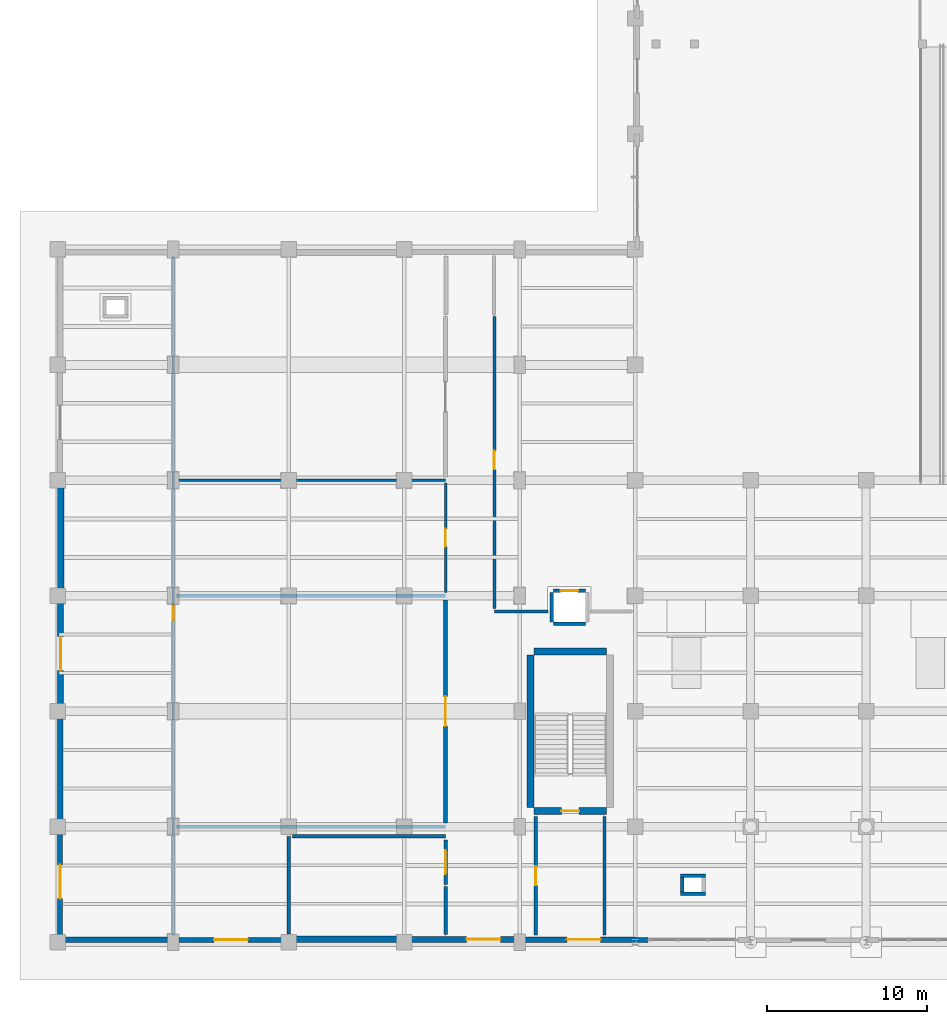
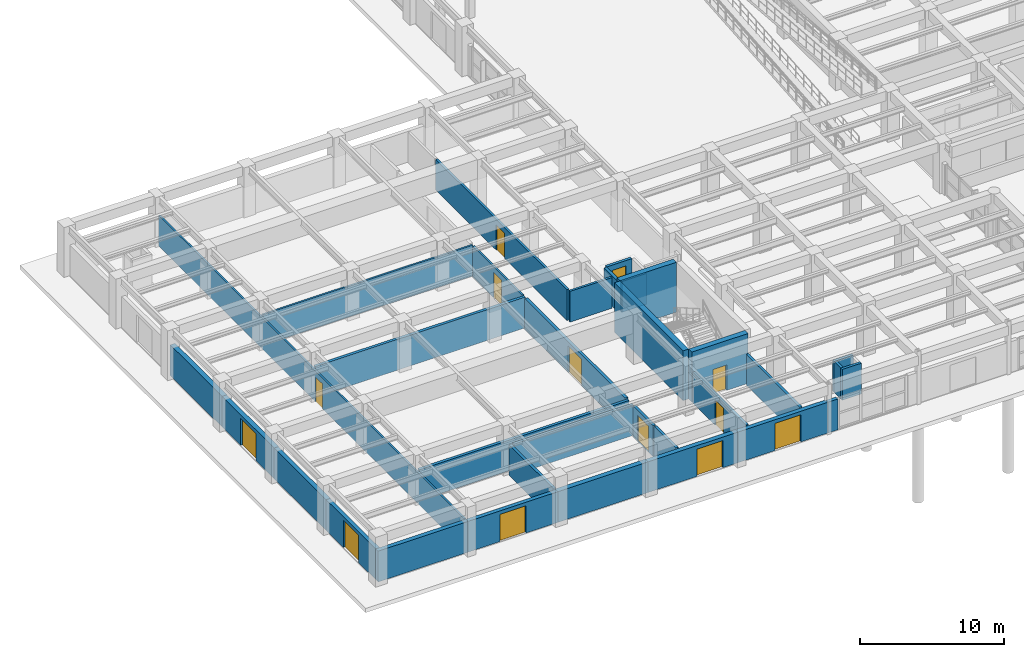
# One storey, part 40 of 64: 33 walls, 13 doors, 13 openings.
"""IFC4 building model written with IfcOpenShell, lengths in metres."""

from ifc_helpers import new_model, si_unit, direction, frame, frame_2d, origin, place, context, subcontext, project, spatial, rectangle, extrude, material, layer, layer_set, type_object, element, fill, save


model = new_model("IFC4")

# Units and contexts
model_context = context("Model", 3, precision=1e-05, world=origin(), true_north=direction((0.0, 1.0)))
body_context = subcontext(model_context, "Body", "Model", "MODEL_VIEW")
ifc_project = project(units=[si_unit("LENGTHUNIT", "METRE"), si_unit("AREAUNIT", "SQUARE_METRE"), si_unit("VOLUMEUNIT", "CUBIC_METRE"), si_unit("PLANEANGLEUNIT", "RADIAN"), si_unit("MASSUNIT", "GRAM", prefix="KILO")], contexts=[model_context])

# Site, building, storey
site_placement = place(None, origin())
site = spatial("IfcSite", under=ifc_project, at=site_placement, CompositionType="ELEMENT")
building_placement = place(site_placement, origin())
building = spatial("IfcBuilding", under=site, at=building_placement, Name="Solenvale Faculty of Natural Sciences", CompositionType="ELEMENT")
storey_placement = place(building_placement, origin())
storey = spatial("IfcBuildingStorey", under=building, at=storey_placement, Name="L00", CompositionType="ELEMENT", Elevation=0.0)

# Wall, opening, door
ifc_material_1 = material(Name="Chazy limestone masonry", Category="masonry")
ifc_layer_1 = layer(ifc_material_1, 0.31494140625)
ifc_layer_set_1 = layer_set([ifc_layer_1], Name="Chazy limestone masonry")
wall_type_1 = type_object("IfcWallType", Name="WL-EXT-LIM-315", PredefinedType="STANDARD", material=ifc_layer_set_1)
wall_1_placement = place(storey_placement, frame((0.157470703125, 0.340087890625, 0.0), z_axis=(0.0, 0.0, 1.0), x_axis=(0.0, 1.0, 0.0)))
wall_1 = element("IfcWall", 1, at=wall_1_placement, inside=storey, type_object=wall_type_1, Name="L00 Exterior Wall 24.6", PredefinedType="STANDARD", context=body_context, shape_type="SweptSolid", body=[
    extrude(rectangle(XDim=6.85986328125, YDim=0.31494140625, at=frame_2d((3.429931640625, 0.0))), origin(), (0.0, 0.0, 1.0), 2.60009765625),
])
opening_1_placement = place(wall_1_placement, frame((2.3798828125, 0.0, 0.0)))
opening_1 = element("IfcOpeningElement", 2, at=opening_1_placement, cuts=wall_1, Name="Opening EX-31", PredefinedType="OPENING", context=body_context, shape_type="SweptSolid", body=[
    extrude(rectangle(XDim=2.10009765625, YDim=2.300048828125, at=frame_2d((1.050048828125, 1.14990234375))), frame((0.0, 0.16748046875, 0.0), z_axis=(0.0, -1.0, 0.0), x_axis=(1.0, 0.0, 0.0)), (0.0, 0.0, 1.0), 0.3349609375),
])
ifc_material_2 = material(Name="Anodised bronze aluminium", Category="aluminium")
door_type_1 = type_object("IfcDoorType", Name="DR-EXT-2100x2300", OperationType="NOTDEFINED", PredefinedType="DOOR", material=ifc_material_2)
door_1_placement = place(opening_1_placement, origin())
door_1 = element("IfcDoor", 3, at=door_1_placement, inside=storey, type_object=door_type_1, Name="L00 Exterior Exit Door EX-31", OperationType="DOUBLE_DOOR_SINGLE_SWING", OverallHeight=2.300048828125, OverallWidth=2.10009765625, PredefinedType="DOOR", context=body_context, shape_type="SweptSolid", body=[
    extrude(rectangle(XDim=2.10009765625, YDim=2.300048828125, at=frame_2d((1.050048828125, 1.14990234375))), frame((0.0, 0.02490234375, 0.0), z_axis=(0.0, -1.0, 0.0), x_axis=(1.0, 0.0, 0.0)), (0.0, 0.0, 1.0), 0.050048828125),
])
fill(opening_1, door_1)

wall_2_placement = place(storey_placement, frame((14.39990234375, 0.157470703125, 0.0), z_axis=(0.0, 0.0, 1.0), x_axis=(-1.0, 0.0, 0.0)))
wall_2 = element("IfcWall", 4, at=wall_2_placement, inside=storey, type_object=wall_type_1, Name="L00 Exterior Wall 25.2", PredefinedType="STANDARD", context=body_context, shape_type="SweptSolid", body=[
    extrude(rectangle(XDim=7.199951171875, YDim=0.31494140625, at=frame_2d((3.60009765625, 0.0))), origin(), (0.0, 0.0, 1.0), 2.60009765625),
])
opening_2_placement = place(wall_2_placement, frame((2.550048828125, 0.0, 0.0)))
opening_2 = element("IfcOpeningElement", 5, at=opening_2_placement, cuts=wall_2, Name="Opening EX-32", PredefinedType="OPENING", context=body_context, shape_type="SweptSolid", body=[
    extrude(rectangle(XDim=2.10009765625, YDim=2.300048828125, at=frame_2d((1.050048828125, 1.14990234375))), frame((0.0, 0.16748046875, 0.0), z_axis=(0.0, -1.0, 0.0), x_axis=(1.0, 0.0, 0.0)), (0.0, 0.0, 1.0), 0.3349609375),
])
door_2_placement = place(opening_2_placement, origin())
door_2 = element("IfcDoor", 6, at=door_2_placement, inside=storey, type_object=door_type_1, Name="L00 Exterior Exit Door EX-32", OperationType="DOUBLE_DOOR_SINGLE_SWING", OverallHeight=2.300048828125, OverallWidth=2.10009765625, PredefinedType="DOOR", context=body_context, shape_type="SweptSolid", body=[
    extrude(rectangle(XDim=2.10009765625, YDim=2.300048828125, at=frame_2d((1.050048828125, 1.14990234375))), frame((0.0, 0.02490234375, 0.0), z_axis=(0.0, -1.0, 0.0), x_axis=(1.0, 0.0, 0.0)), (0.0, 0.0, 1.0), 0.050048828125),
])
fill(opening_2, door_2)

# Walls
ifc_layer_2 = layer(ifc_material_1, 0.340087890625)
ifc_layer_set_2 = layer_set([ifc_layer_2], Name="Chazy limestone masonry")
wall_type_2 = type_object("IfcWallType", Name="WL-EXT-LIM-340", PredefinedType="STANDARD", material=ifc_layer_set_2)
for number, where, z_axis, x_axis, name in (
    (7, (0.169921875, 7.199951171875, 0.0), (0.0, 0.0, 1.0), (0.0, 1.0, 0.0), "L00 Exterior Wall 24.5"),
    (8, (7.199951171875, 0.169921875, 0.0), (0.0, 0.0, 1.0), (-1.0, 0.0, 0.0), "L00 Exterior Wall 25.1"),
):
    element("IfcWall", number, at=place(storey_placement, frame(where, z_axis=z_axis, x_axis=x_axis)), inside=storey, type_object=wall_type_2, Name=name, PredefinedType="STANDARD", context=body_context, shape_type="SweptSolid", body=[
        extrude(rectangle(XDim=7.199951171875, YDim=0.340087890625, at=frame_2d((3.60009765625, 0.0))), origin(), (0.0, 0.0, 1.0), 2.60009765625),
    ])

# Wall, opening, door
wall_3_placement = place(storey_placement, frame((36.0, 0.169921875, 0.0), z_axis=(0.0, 0.0, 1.0), x_axis=(-1.0, 0.0, 0.0)))
wall_3 = element("IfcWall", 9, at=wall_3_placement, inside=storey, type_object=wall_type_2, Name="L00 Exterior Wall 25.5", PredefinedType="STANDARD", context=body_context, shape_type="SweptSolid", body=[
    extrude(rectangle(XDim=7.199951171875, YDim=0.340087890625, at=frame_2d((3.60009765625, 0.0))), origin(), (0.0, 0.0, 1.0), 2.60009765625),
])
opening_3_placement = place(wall_3_placement, frame((2.14990234375, 0.0, 0.0)))
opening_3 = element("IfcOpeningElement", 10, at=opening_3_placement, cuts=wall_3, Name="Opening EX-34", PredefinedType="OPENING", context=body_context, shape_type="SweptSolid", body=[
    extrude(rectangle(XDim=2.10009765625, YDim=2.300048828125, at=frame_2d((1.050048828125, 1.14990234375))), frame((0.0, 0.179931640625, 0.0), z_axis=(0.0, -1.0, 0.0), x_axis=(1.0, 0.0, 0.0)), (0.0, 0.0, 1.0), 0.360107421875),
])
door_3_placement = place(opening_3_placement, origin())
door_3 = element("IfcDoor", 11, at=door_3_placement, inside=storey, type_object=door_type_1, Name="L00 Exterior Exit Door EX-34", OperationType="DOUBLE_DOOR_SINGLE_SWING", OverallHeight=2.300048828125, OverallWidth=2.10009765625, PredefinedType="DOOR", context=body_context, shape_type="SweptSolid", body=[
    extrude(rectangle(XDim=2.10009765625, YDim=2.300048828125, at=frame_2d((1.050048828125, 1.14990234375))), frame((0.0, 0.02490234375, 0.0), z_axis=(0.0, -1.0, 0.0), x_axis=(1.0, 0.0, 0.0)), (0.0, 0.0, 1.0), 0.050048828125),
])
fill(opening_3, door_3)

ifc_layer_3 = layer(ifc_material_1, 0.364990234375)
ifc_layer_set_3 = layer_set([ifc_layer_3], Name="Chazy limestone masonry")
wall_type_3 = type_object("IfcWallType", Name="WL-EXT-LIM-365", PredefinedType="STANDARD", material=ifc_layer_set_3)
wall_4_placement = place(storey_placement, frame((0.1826171875, 14.39990234375, 0.0), z_axis=(0.0, 0.0, 1.0), x_axis=(0.0, 1.0, 0.0)))
wall_4 = element("IfcWall", 12, at=wall_4_placement, inside=storey, type_object=wall_type_3, Name="L00 Exterior Wall 24.4", PredefinedType="STANDARD", context=body_context, shape_type="SweptSolid", body=[
    extrude(rectangle(XDim=7.2001953125, YDim=0.364990234375, at=frame_2d((3.60009765625, 0.0))), origin(), (0.0, 0.0, 1.0), 2.60009765625),
])
opening_4_placement = place(wall_4_placement, frame((2.550048828125, 0.0, 0.0)))
opening_4 = element("IfcOpeningElement", 13, at=opening_4_placement, cuts=wall_4, Name="Opening EX-30", PredefinedType="OPENING", context=body_context, shape_type="SweptSolid", body=[
    extrude(rectangle(XDim=2.10009765625, YDim=2.300048828125, at=frame_2d((1.050048828125, 1.14990234375))), frame((0.0, 0.1923828125, 0.0), z_axis=(0.0, -1.0, 0.0), x_axis=(1.0, 0.0, 0.0)), (0.0, 0.0, 1.0), 0.385009765625),
])
door_4_placement = place(opening_4_placement, origin())
door_4 = element("IfcDoor", 14, at=door_4_placement, inside=storey, type_object=door_type_1, Name="L00 Exterior Exit Door EX-30", OperationType="DOUBLE_DOOR_SINGLE_SWING", OverallHeight=2.300048828125, OverallWidth=2.10009765625, PredefinedType="DOOR", context=body_context, shape_type="SweptSolid", body=[
    extrude(rectangle(XDim=2.10009765625, YDim=2.300048828125, at=frame_2d((1.050048828125, 1.14990234375))), frame((0.0, 0.02490234375, 0.0), z_axis=(0.0, -1.0, 0.0), x_axis=(1.0, 0.0, 0.0)), (0.0, 0.0, 1.0), 0.050048828125),
])
fill(opening_4, door_4)

wall_5_placement = place(storey_placement, frame((28.800048828125, 0.1826171875, 0.0), z_axis=(0.0, 0.0, 1.0), x_axis=(-1.0, 0.0, 0.0)))
wall_5 = element("IfcWall", 15, at=wall_5_placement, inside=storey, type_object=wall_type_3, Name="L00 Exterior Wall 25.4", PredefinedType="STANDARD", context=body_context, shape_type="SweptSolid", body=[
    extrude(rectangle(XDim=7.199951171875, YDim=0.364990234375, at=frame_2d((3.60009765625, 0.0))), origin(), (0.0, 0.0, 1.0), 2.60009765625),
])
opening_5_placement = place(wall_5_placement, frame((1.199951171875, 0.0, 0.0)))
opening_5 = element("IfcOpeningElement", 16, at=opening_5_placement, cuts=wall_5, Name="Opening EX-33", PredefinedType="OPENING", context=body_context, shape_type="SweptSolid", body=[
    extrude(rectangle(XDim=2.10009765625, YDim=2.300048828125, at=frame_2d((1.050048828125, 1.14990234375))), frame((0.0, 0.1923828125, 0.0), z_axis=(0.0, -1.0, 0.0), x_axis=(1.0, 0.0, 0.0)), (0.0, 0.0, 1.0), 0.385009765625),
])
door_5_placement = place(opening_5_placement, origin())
door_5 = element("IfcDoor", 17, at=door_5_placement, inside=storey, type_object=door_type_1, Name="L00 Exterior Exit Door EX-33", OperationType="DOUBLE_DOOR_SINGLE_SWING", OverallHeight=2.300048828125, OverallWidth=2.10009765625, PredefinedType="DOOR", context=body_context, shape_type="SweptSolid", body=[
    extrude(rectangle(XDim=2.10009765625, YDim=2.300048828125, at=frame_2d((1.050048828125, 1.14990234375))), frame((0.0, 0.02490234375, 0.0), z_axis=(0.0, -1.0, 0.0), x_axis=(1.0, 0.0, 0.0)), (0.0, 0.0, 1.0), 0.050048828125),
])
fill(opening_5, door_5)

# Walls
ifc_layer_4 = layer(ifc_material_1, 0.389892578125)
ifc_layer_set_4 = layer_set([ifc_layer_4], Name="Chazy limestone masonry")
wall_type_4 = type_object("IfcWallType", Name="WL-EXT-LIM-390", PredefinedType="STANDARD", material=ifc_layer_set_4)
wall_6_placement = place(storey_placement, frame((0.195068359375, 21.60009765625, 0.0), z_axis=(0.0, 0.0, 1.0), x_axis=(0.0, 1.0, 0.0)))
element("IfcWall", 18, at=wall_6_placement, inside=storey, type_object=wall_type_4, Name="L00 Exterior Wall 24.3", PredefinedType="STANDARD", context=body_context, shape_type="SweptSolid", body=[
    extrude(rectangle(XDim=7.199951171875, YDim=0.389892578125, at=frame_2d((3.60009765625, 0.0))), origin(), (0.0, 0.0, 1.0), 2.60009765625),
])
wall_7_placement = place(storey_placement, frame((21.60009765625, 0.195068359375, 0.0), z_axis=(0.0, 0.0, 1.0), x_axis=(-1.0, 0.0, 0.0)))
element("IfcWall", 19, at=wall_7_placement, inside=storey, type_object=wall_type_4, Name="L00 Exterior Wall 25.3", PredefinedType="STANDARD", context=body_context, shape_type="SweptSolid", body=[
    extrude(rectangle(XDim=7.2001953125, YDim=0.389892578125, at=frame_2d((3.60009765625, 0.0))), origin(), (0.0, 0.0, 1.0), 2.60009765625),
])
ifc_material_3 = material(Name="Precast concrete 40 MPa", Category="concrete")
ifc_layer_5 = layer(ifc_material_3, 0.284912109375)
ifc_layer_set_5 = layer_set([ifc_layer_5], Name="Precast concrete 40 MPa")
wall_type_5 = type_object("IfcWallType", Name="WL-EXT-PRC-285", PredefinedType="STANDARD", material=ifc_layer_set_5)
wall_8_placement = place(storey_placement, frame((36.0, 0.142578125, 0.0), z_axis=(0.0, 0.0, 1.0), x_axis=(1.0, 0.0, 0.0)))
element("IfcWall", 20, at=wall_8_placement, inside=storey, type_object=wall_type_5, Name="L00 Facade Closure Pier 26.B1-L", PredefinedType="STANDARD", context=body_context, shape_type="SweptSolid", body=[
    extrude(rectangle(XDim=0.7880859375, YDim=0.284912109375, at=frame_2d((0.39404296875, 0.0))), origin(), (0.0, 0.0, 1.0), 2.60009765625),
])
ifc_material_4 = material(Name="Gypsum fire-rated shaftwall")
ifc_layer_6 = layer(ifc_material_4, 0.205078125)
ifc_layer_set_6 = layer_set([ifc_layer_6], Name="Gypsum fire-rated shaftwall")
wall_type_6 = type_object("IfcWallType", Name="WL-FFL-205", PredefinedType="PARTITIONING", material=ifc_layer_set_6)
wall_9_placement = place(storey_placement, frame((34.090087890625, 7.845947265625, 0.0), z_axis=(0.0, 0.0, 1.0), x_axis=(0.0, -1.0, 0.0)))
element("IfcWall", 21, at=wall_9_placement, inside=storey, type_object=wall_type_6, Name="L00 Protected Exit Vestibule ST-01 Partition 1", PredefinedType="PARTITIONING", context=body_context, shape_type="SweptSolid", body=[
    extrude(rectangle(XDim=7.390869140625, YDim=0.205078125, at=frame_2d((3.6953125, 0.0))), origin(), (0.0, 0.0, 1.0), 2.60009765625),
])

# Wall, opening, door
wall_10_placement = place(storey_placement, frame((29.800048828125, 0.455078125, 0.0), z_axis=(0.0, 0.0, 1.0), x_axis=(0.0, 1.0, 0.0)))
wall_10 = element("IfcWall", 22, at=wall_10_placement, inside=storey, type_object=wall_type_6, Name="L00 Protected Exit Vestibule ST-01 Partition 3", PredefinedType="PARTITIONING", context=body_context, shape_type="SweptSolid", body=[
    extrude(rectangle(XDim=7.390869140625, YDim=0.205078125, at=frame_2d((3.6953125, 0.0))), origin(), (0.0, 0.0, 1.0), 2.60009765625),
])
opening_6_placement = place(wall_10_placement, frame((3.094970703125, 0.0, 0.0)))
opening_6 = element("IfcOpeningElement", 23, at=opening_6_placement, cuts=wall_10, Name="Opening D-L00-29", PredefinedType="OPENING", context=body_context, shape_type="SweptSolid", body=[
    extrude(rectangle(XDim=1.199951171875, YDim=2.14990234375, at=frame_2d((0.60009765625, 1.074951171875))), frame((0.0, 0.112548828125, 0.0), z_axis=(0.0, -1.0, 0.0), x_axis=(1.0, 0.0, 0.0)), (0.0, 0.0, 1.0), 0.22509765625),
])
ifc_material_5 = material(Name="Galvanised steel S355", Category="steel")
door_type_2 = type_object("IfcDoorType", Name="DR-FFL-1200x2150", OperationType="NOTDEFINED", PredefinedType="DOOR", material=ifc_material_5)
door_6_placement = place(opening_6_placement, origin())
door_6 = element("IfcDoor", 24, at=door_6_placement, inside=storey, type_object=door_type_2, Name="L00 Protected Exit Vestibule ST-01 Door", OperationType="SINGLE_SWING_LEFT", OverallHeight=2.14990234375, OverallWidth=1.199951171875, PredefinedType="DOOR", context=body_context, shape_type="SweptSolid", body=[
    extrude(rectangle(XDim=1.199951171875, YDim=2.14990234375, at=frame_2d((0.60009765625, 1.074951171875))), frame((0.0, 0.02490234375, 0.0), z_axis=(0.0, -1.0, 0.0), x_axis=(1.0, 0.0, 0.0)), (0.0, 0.0, 1.0), 0.050048828125),
])
fill(opening_6, door_6)

# Walls
ifc_material_6 = material(Name="High-STC auditorium acoustic wall")
ifc_layer_7 = layer(ifc_material_6, 0.235107421875)
ifc_layer_set_7 = layer_set([ifc_layer_7], Name="High-STC auditorium acoustic wall")
wall_type_7 = type_object("IfcWallType", Name="WL-HALL-235", PredefinedType="PARTITIONING", material=ifc_layer_set_7)
for number, where, z_axis, x_axis, name in (
    (25, (24.179931640625, 7.199951171875, 0.0), (0.0, 0.0, 1.0), (-1.0, 0.0, 0.0), "L00 Lecture Theatre Partition 1"),
    (26, (7.404052734375, 21.60009765625, 0.0), (0.0, 0.0, 1.0), (1.0, 0.0, 0.0), "L00 Lecture Theatre Partition 3"),
):
    element("IfcWall", number, at=place(storey_placement, frame(where, z_axis=z_axis, x_axis=x_axis)), inside=storey, type_object=wall_type_7, Name=name, PredefinedType="PARTITIONING", context=body_context, shape_type="SweptSolid", body=[
        extrude(rectangle(XDim=16.77587890625, YDim=0.235107421875, at=frame_2d((8.387939453125, 0.0))), origin(), (0.0, 0.0, 1.0), 2.60009765625),
    ])

# Wall, opening, door
wall_11_placement = place(storey_placement, frame((24.179931640625, 21.35302734375, 0.0), z_axis=(0.0, 0.0, 1.0), x_axis=(0.0, -1.0, 0.0)))
wall_11 = element("IfcWall", 27, at=wall_11_placement, inside=storey, type_object=wall_type_7, Name="L00 Lecture Theatre Partition 4", PredefinedType="PARTITIONING", context=body_context, shape_type="SweptSolid", body=[
    extrude(rectangle(XDim=13.906005859375, YDim=0.235107421875, at=frame_2d((6.953125, 0.0))), origin(), (0.0, 0.0, 1.0), 2.60009765625),
])
opening_7_placement = place(wall_11_placement, frame((6.028076171875, 0.0, 0.0)))
opening_7 = element("IfcOpeningElement", 28, at=opening_7_placement, cuts=wall_11, Name="Opening D-L00-05", PredefinedType="OPENING", context=body_context, shape_type="SweptSolid", body=[
    extrude(rectangle(XDim=1.85009765625, YDim=2.25, at=frame_2d((0.925048828125, 1.125))), frame((0.0, 0.12744140625, 0.0), z_axis=(0.0, -1.0, 0.0), x_axis=(1.0, 0.0, 0.0)), (0.0, 0.0, 1.0), 0.255126953125),
])
ifc_material_7 = material(Name="Oak acoustic timber leaf", Category="wood")
door_type_3 = type_object("IfcDoorType", Name="DR-HALL-1850x2250", OperationType="NOTDEFINED", PredefinedType="DOOR", material=ifc_material_7)
door_7_placement = place(opening_7_placement, origin())
door_7 = element("IfcDoor", 29, at=door_7_placement, inside=storey, type_object=door_type_3, Name="L00 Lecture Theatre Door", OperationType="SINGLE_SWING_LEFT", OverallHeight=2.25, OverallWidth=1.85009765625, PredefinedType="DOOR", context=body_context, shape_type="SweptSolid", body=[
    extrude(rectangle(XDim=1.85009765625, YDim=2.25, at=frame_2d((0.925048828125, 1.125))), frame((0.0, 0.02490234375, 0.0), z_axis=(0.0, -1.0, 0.0), x_axis=(1.0, 0.0, 0.0)), (0.0, 0.0, 1.0), 0.050048828125),
])
fill(opening_7, door_7)

# Walls
ifc_material_8 = material(Name="Gypsum fire-rated laboratory partition")
ifc_layer_8 = layer(ifc_material_8, 0.2119140625)
ifc_layer_set_8 = layer_set([ifc_layer_8], Name="Gypsum fire-rated laboratory partition")
wall_type_8 = type_object("IfcWallType", Name="WL-LAB-212", PredefinedType="PARTITIONING", material=ifc_layer_set_8)
wall_12_placement = place(storey_placement, frame((14.39990234375, 0.508056640625, 0.0), z_axis=(0.0, 0.0, 1.0), x_axis=(0.0, 1.0, 0.0)))
element("IfcWall", 30, at=wall_12_placement, inside=storey, type_object=wall_type_8, Name="L00 Fire Command Centre Partition 1", PredefinedType="PARTITIONING", context=body_context, shape_type="SweptSolid", body=[
    extrude(rectangle(XDim=6.092041015625, YDim=0.2119140625, at=frame_2d((3.0458984375, 0.0))), origin(), (0.0, 0.0, 1.0), 2.60009765625),
])
wall_13_placement = place(storey_placement, frame((14.6240234375, 6.60009765625, 0.0), z_axis=(0.0, 0.0, 1.0), x_axis=(1.0, 0.0, 0.0)))
element("IfcWall", 31, at=wall_13_placement, inside=storey, type_object=wall_type_8, Name="L00 Fire Command Centre Partition 2", PredefinedType="PARTITIONING", context=body_context, shape_type="SweptSolid", body=[
    extrude(rectangle(XDim=9.555908203125, YDim=0.2119140625, at=frame_2d((4.77783203125, 0.0))), origin(), (0.0, 0.0, 1.0), 2.60009765625),
])

# Wall, opening, door
wall_14_placement = place(storey_placement, frame((24.179931640625, 6.3759765625, 0.0), z_axis=(0.0, 0.0, 1.0), x_axis=(0.0, -1.0, 0.0)))
wall_14 = element("IfcWall", 32, at=wall_14_placement, inside=storey, type_object=wall_type_8, Name="L00 Fire Command Centre Partition 3", PredefinedType="PARTITIONING", context=body_context, shape_type="SweptSolid", body=[
    extrude(rectangle(XDim=2.77587890625, YDim=0.2119140625, at=frame_2d((1.387939453125, 0.0))), origin(), (0.0, 0.0, 1.0), 2.60009765625),
])
opening_8_placement = place(wall_14_placement, frame((0.64794921875, 0.0, 0.0)))
opening_8 = element("IfcOpeningElement", 33, at=opening_8_placement, cuts=wall_14, Name="Opening D-L00-03", PredefinedType="OPENING", context=body_context, shape_type="SweptSolid", body=[
    extrude(rectangle(XDim=1.47998046875, YDim=2.199951171875, at=frame_2d((0.739990234375, 1.10009765625))), frame((0.0, 0.115966796875, 0.0), z_axis=(0.0, -1.0, 0.0), x_axis=(1.0, 0.0, 0.0)), (0.0, 0.0, 1.0), 0.23193359375),
])
door_type_4 = type_object("IfcDoorType", Name="DR-LAB-1480x2200", OperationType="NOTDEFINED", PredefinedType="DOOR", material=ifc_material_7)
door_8_placement = place(opening_8_placement, origin())
door_8 = element("IfcDoor", 34, at=door_8_placement, inside=storey, type_object=door_type_4, Name="L00 Fire Command Centre Door", OperationType="SINGLE_SWING_LEFT", OverallHeight=2.199951171875, OverallWidth=1.47998046875, PredefinedType="DOOR", context=body_context, shape_type="SweptSolid", body=[
    extrude(rectangle(XDim=1.47998046875, YDim=2.199951171875, at=frame_2d((0.739990234375, 1.10009765625))), frame((0.0, 0.02490234375, 0.0), z_axis=(0.0, -1.0, 0.0), x_axis=(1.0, 0.0, 0.0)), (0.0, 0.0, 1.0), 0.050048828125),
])
fill(opening_8, door_8)

# Wall
wall_15_placement = place(storey_placement, frame((24.199951171875, 3.48193359375, 0.0), z_axis=(0.0, 0.0, 1.0), x_axis=(0.0, -1.0, 0.0)))
element("IfcWall", 35, at=wall_15_placement, inside=storey, type_object=wall_type_8, Name="L00 Fire Command Centre Partition 20", PredefinedType="PARTITIONING", context=body_context, shape_type="SweptSolid", body=[
    extrude(rectangle(XDim=2.9990234375, YDim=0.2119140625, at=frame_2d((1.49951171875, 0.0))), origin(), (0.0, 0.0, 1.0), 2.60009765625),
])

# Wall, opening, door
ifc_material_9 = material(Name="Acoustic stud gypsum partition")
ifc_layer_9 = layer(ifc_material_9, 0.14794921875)
ifc_layer_set_9 = layer_set([ifc_layer_9], Name="Acoustic stud gypsum partition")
wall_type_9 = type_object("IfcWallType", Name="WL-OFF-148", PredefinedType="PARTITIONING", material=ifc_layer_set_9)
wall_16_placement = place(storey_placement, frame((7.199951171875, 42.7490234375, 0.0), z_axis=(0.0, 0.0, 1.0), x_axis=(0.0, -1.0, 0.0)))
wall_16 = element("IfcWall", 36, at=wall_16_placement, inside=storey, type_object=wall_type_9, Name="L00 Audiovisual Equipment Storage Room Partition 3", PredefinedType="PARTITIONING", context=body_context, shape_type="SweptSolid", body=[
    extrude(rectangle(XDim=42.322998046875, YDim=0.14794921875, at=frame_2d((21.16162109375, 0.0))), origin(), (0.0, 0.0, 1.0), 2.60009765625),
])
opening_9_placement = place(wall_16_placement, frame((21.751953125, 0.0, 0.0)))
opening_9 = element("IfcOpeningElement", 37, at=opening_9_placement, cuts=wall_16, Name="Opening D-L00-04", PredefinedType="OPENING", context=body_context, shape_type="SweptSolid", body=[
    extrude(rectangle(XDim=0.919921875, YDim=2.10009765625, at=frame_2d((0.4599609375, 1.050048828125))), frame((0.0, 0.083984375, 0.0), z_axis=(0.0, -1.0, 0.0), x_axis=(1.0, 0.0, 0.0)), (0.0, 0.0, 1.0), 0.16796875),
])
door_type_5 = type_object("IfcDoorType", Name="DR-OFF-0920x2100", OperationType="NOTDEFINED", PredefinedType="DOOR", material=ifc_material_7)
door_9_placement = place(opening_9_placement, origin())
door_9 = element("IfcDoor", 38, at=door_9_placement, inside=storey, type_object=door_type_5, Name="L00 Audiovisual Equipment Storage Room Door", OperationType="SINGLE_SWING_RIGHT", OverallHeight=2.10009765625, OverallWidth=0.919921875, PredefinedType="DOOR", context=body_context, shape_type="SweptSolid", body=[
    extrude(rectangle(XDim=0.919921875, YDim=2.10009765625, at=frame_2d((0.4599609375, 1.050048828125))), frame((0.0, 0.02490234375, 0.0), z_axis=(0.0, -1.0, 0.0), x_axis=(1.0, 0.0, 0.0)), (0.0, 0.0, 1.0), 0.050048828125),
])
fill(opening_9, door_9)

# Wall
ifc_material_10 = material(Name="Acoustic double-stud gypsum partition")
ifc_layer_10 = layer(ifc_material_10, 0.155029296875)
ifc_layer_set_10 = layer_set([ifc_layer_10], Name="Acoustic double-stud gypsum partition")
wall_type_10 = type_object("IfcWallType", Name="WL-SEM-155", PredefinedType="PARTITIONING", material=ifc_layer_set_10)
wall_17_placement = place(storey_placement, frame((7.364013671875, 28.800048828125, 0.0), z_axis=(0.0, 0.0, 1.0), x_axis=(1.0, 0.0, 0.0)))
element("IfcWall", 39, at=wall_17_placement, inside=storey, type_object=wall_type_10, Name="L00 Academic Seminar Room Partition 3", PredefinedType="PARTITIONING", context=body_context, shape_type="SweptSolid", body=[
    extrude(rectangle(XDim=16.81591796875, YDim=0.155029296875, at=frame_2d((8.407958984375, 0.0))), origin(), (0.0, 0.0, 1.0), 2.60009765625),
])

# Wall, opening, door
wall_18_placement = place(storey_placement, frame((24.179931640625, 28.633056640625, 0.0), z_axis=(0.0, 0.0, 1.0), x_axis=(0.0, -1.0, 0.0)))
wall_18 = element("IfcWall", 40, at=wall_18_placement, inside=storey, type_object=wall_type_10, Name="L00 Academic Seminar Room Partition 4", PredefinedType="PARTITIONING", context=body_context, shape_type="SweptSolid", body=[
    extrude(rectangle(XDim=6.826171875, YDim=0.155029296875, at=frame_2d((3.4130859375, 0.0))), origin(), (0.0, 0.0, 1.0), 2.60009765625),
])
opening_10_placement = place(wall_18_placement, frame((2.85302734375, 0.0, 0.0)))
opening_10 = element("IfcOpeningElement", 41, at=opening_10_placement, cuts=wall_18, Name="Opening D-L00-06", PredefinedType="OPENING", context=body_context, shape_type="SweptSolid", body=[
    extrude(rectangle(XDim=1.1201171875, YDim=2.14990234375, at=frame_2d((0.56005859375, 1.074951171875))), frame((0.0, 0.08740234375, 0.0), z_axis=(0.0, -1.0, 0.0), x_axis=(1.0, 0.0, 0.0)), (0.0, 0.0, 1.0), 0.175048828125),
])
door_type_6 = type_object("IfcDoorType", Name="DR-SEM-1120x2150", OperationType="NOTDEFINED", PredefinedType="DOOR", material=ifc_material_7)
door_10_placement = place(opening_10_placement, origin())
door_10 = element("IfcDoor", 42, at=door_10_placement, inside=storey, type_object=door_type_6, Name="L00 Academic Seminar Room Door", OperationType="SINGLE_SWING_RIGHT", OverallHeight=2.14990234375, OverallWidth=1.1201171875, PredefinedType="DOOR", context=body_context, shape_type="SweptSolid", body=[
    extrude(rectangle(XDim=1.1201171875, YDim=2.14990234375, at=frame_2d((0.56005859375, 1.074951171875))), frame((0.0, 0.02490234375, 0.0), z_axis=(0.0, -1.0, 0.0), x_axis=(1.0, 0.0, 0.0)), (0.0, 0.0, 1.0), 0.050048828125),
])
fill(opening_10, door_10)

# Wall
ifc_layer_11 = layer(ifc_material_10, 0.179931640625)
ifc_layer_set_11 = layer_set([ifc_layer_11], Name="Acoustic double-stud gypsum partition")
wall_type_11 = type_object("IfcWallType", Name="WL-SEM-180", PredefinedType="PARTITIONING", material=ifc_layer_set_11)
wall_19_placement = place(storey_placement, frame((30.574951171875, 20.6201171875, 0.0), z_axis=(0.0, 0.0, 1.0), x_axis=(-1.0, 0.0, 0.0)))
element("IfcWall", 43, at=wall_19_placement, inside=storey, type_object=wall_type_11, Name="L00 Academic Seminar Room Partition 36", PredefinedType="PARTITIONING", context=body_context, shape_type="SweptSolid", body=[
    extrude(rectangle(XDim=3.35498046875, YDim=0.179931640625, at=frame_2d((1.677490234375, 0.0))), origin(), (0.0, 0.0, 1.0), 2.60009765625),
])

# Wall, opening, door
wall_20_placement = place(storey_placement, frame((27.219970703125, 20.81201171875, 0.0), z_axis=(0.0, 0.0, 1.0), x_axis=(0.0, 1.0, 0.0)))
wall_20 = element("IfcWall", 44, at=wall_20_placement, inside=storey, type_object=wall_type_11, Name="L00 Academic Seminar Room Partition 37", PredefinedType="PARTITIONING", context=body_context, shape_type="SweptSolid", body=[
    extrude(rectangle(XDim=18.18798828125, YDim=0.179931640625, at=frame_2d((9.093994140625, 0.0))), origin(), (0.0, 0.0, 1.0), 2.60009765625),
])
opening_11_placement = place(wall_20_placement, frame((8.6689453125, 0.0, 0.0)))
opening_11 = element("IfcOpeningElement", 45, at=opening_11_placement, cuts=wall_20, Name="Opening D-L00-08", PredefinedType="OPENING", context=body_context, shape_type="SweptSolid", body=[
    extrude(rectangle(XDim=1.14990234375, YDim=2.14990234375, at=frame_2d((0.574951171875, 1.074951171875))), frame((0.0, 0.099853515625, 0.0), z_axis=(0.0, -1.0, 0.0), x_axis=(1.0, 0.0, 0.0)), (0.0, 0.0, 1.0), 0.199951171875),
])
door_type_7 = type_object("IfcDoorType", Name="DR-SEM-1150x2150", OperationType="NOTDEFINED", PredefinedType="DOOR", material=ifc_material_7)
door_11_placement = place(opening_11_placement, origin())
door_11 = element("IfcDoor", 46, at=door_11_placement, inside=storey, type_object=door_type_7, Name="L00 Academic Seminar Room Door", OperationType="SINGLE_SWING_RIGHT", OverallHeight=2.14990234375, OverallWidth=1.14990234375, PredefinedType="DOOR", context=body_context, shape_type="SweptSolid", body=[
    extrude(rectangle(XDim=1.14990234375, YDim=2.14990234375, at=frame_2d((0.574951171875, 1.074951171875))), frame((0.0, 0.02490234375, 0.0), z_axis=(0.0, -1.0, 0.0), x_axis=(1.0, 0.0, 0.0)), (0.0, 0.0, 1.0), 0.050048828125),
])
fill(opening_11, door_11)

# Wall
ifc_material_11 = material(Name="Concrete 40 MPa", Category="concrete")
ifc_layer_12 = layer(ifc_material_11, 0.219970703125)
ifc_layer_set_12 = layer_set([ifc_layer_12], Name="Concrete 40 MPa")
wall_type_12 = type_object("IfcWallType", Name="WL-SHF-220", PredefinedType="STANDARD", material=ifc_layer_set_12)
wall_21_placement = place(storey_placement, frame((30.905029296875, 19.8701171875, 0.0), z_axis=(0.0, 0.0, 1.0), x_axis=(1.0, 0.0, 0.0)))
element("IfcWall", 47, at=wall_21_placement, inside=storey, type_object=wall_type_12, Name="Elevator LP-01 L00 Shaft Wall S", PredefinedType="STANDARD", context=body_context, shape_type="SweptSolid", body=[
    extrude(rectangle(XDim=1.989990234375, YDim=0.219970703125, at=frame_2d((0.9951171875, 0.0))), origin(), (0.0, 0.0, 1.0), 2.60009765625),
])

# Wall, opening, door
wall_22_placement = place(storey_placement, frame((30.905029296875, 21.929931640625, 0.0), z_axis=(0.0, 0.0, 1.0), x_axis=(1.0, 0.0, 0.0)))
wall_22 = element("IfcWall", 48, at=wall_22_placement, inside=storey, type_object=wall_type_12, Name="Elevator LP-01 L00 Shaft Wall N", PredefinedType="STANDARD", context=body_context, shape_type="SweptSolid", body=[
    extrude(rectangle(XDim=1.989990234375, YDim=0.219970703125, at=frame_2d((0.9951171875, 0.0))), origin(), (0.0, 0.0, 1.0), 2.60009765625),
])
opening_12_placement = place(wall_22_placement, frame((0.445068359375, 0.0, 0.0)))
opening_12 = element("IfcOpeningElement", 49, at=opening_12_placement, cuts=wall_22, Name="Opening LD-LP-01-L00", PredefinedType="OPENING", context=body_context, shape_type="SweptSolid", body=[
    extrude(rectangle(XDim=1.10009765625, YDim=2.14990234375, at=frame_2d((0.550048828125, 1.074951171875))), frame((0.0, 0.119873046875, 0.0), z_axis=(0.0, -1.0, 0.0), x_axis=(1.0, 0.0, 0.0)), (0.0, 0.0, 1.0), 0.239990234375),
])
ifc_material_12 = material(Name="Stainless steel Grade 304", Category="steel")
door_type_8 = type_object("IfcDoorType", Name="DR-LIFT-1100x2150", OperationType="NOTDEFINED", PredefinedType="DOOR", material=ifc_material_12)
door_12_placement = place(opening_12_placement, origin())
door_12 = element("IfcDoor", 50, at=door_12_placement, inside=storey, type_object=door_type_8, Name="Elevator LP-01 L00 Sliding Landing Door", OperationType="SLIDING_TO_RIGHT", OverallHeight=2.14990234375, OverallWidth=1.10009765625, PredefinedType="DOOR", context=body_context, shape_type="SweptSolid", body=[
    extrude(rectangle(XDim=1.10009765625, YDim=2.14990234375, at=frame_2d((0.550048828125, 1.074951171875))), frame((0.0, 0.02490234375, 0.0), z_axis=(0.0, -1.0, 0.0), x_axis=(1.0, 0.0, 0.0)), (0.0, 0.0, 1.0), 0.050048828125),
])
fill(opening_12, door_12)

# Walls
wall_23_placement = place(storey_placement, frame((30.794921875, 19.97998046875, 0.0), z_axis=(0.0, 0.0, 1.0), x_axis=(0.0, 1.0, 0.0)))
element("IfcWall", 51, at=wall_23_placement, inside=storey, type_object=wall_type_12, Name="Elevator LP-01 L00 Shaft Wall W", PredefinedType="STANDARD", context=body_context, shape_type="SweptSolid", body=[
    extrude(rectangle(XDim=1.840087890625, YDim=0.219970703125, at=frame_2d((0.919921875, 0.0))), origin(), (0.0, 0.0, 1.0), 2.60009765625),
])
for number, where, z_axis, x_axis, name in (
    (52, (38.830078125, 3.0400390625, 0.0), (0.0, 0.0, 1.0), (1.0, 0.0, 0.0), "L00 Service Riser Shaft 1 Wall S"),
    (53, (38.830078125, 4.159912109375, 0.0), (0.0, 0.0, 1.0), (1.0, 0.0, 0.0), "L00 Service Riser Shaft 1 Wall N"),
):
    element("IfcWall", number, at=place(storey_placement, frame(where, z_axis=z_axis, x_axis=x_axis)), inside=storey, type_object=wall_type_12, Name=name, PredefinedType="STANDARD", context=body_context, shape_type="SweptSolid", body=[
        extrude(rectangle(XDim=1.5400390625, YDim=0.219970703125, at=frame_2d((0.77001953125, 0.0))), origin(), (0.0, 0.0, 1.0), 2.60009765625),
    ])
wall_24_placement = place(storey_placement, frame((38.93994140625, 3.14990234375, 0.0), z_axis=(0.0, 0.0, 1.0), x_axis=(0.0, 1.0, 0.0)))
element("IfcWall", 54, at=wall_24_placement, inside=storey, type_object=wall_type_12, Name="L00 Service Riser Shaft 1 Wall W", PredefinedType="STANDARD", context=body_context, shape_type="SweptSolid", body=[
    extrude(rectangle(XDim=0.900146484375, YDim=0.219970703125, at=frame_2d((0.4501953125, 0.0))), origin(), (0.0, 0.0, 1.0), 2.60009765625),
])

# Wall, opening, door
ifc_material_13 = material(Name="Concrete 50 MPa", Category="concrete")
ifc_layer_13 = layer(ifc_material_13, 0.43994140625)
ifc_layer_set_13 = layer_set([ifc_layer_13], Name="Concrete 50 MPa")
wall_type_13 = type_object("IfcWallType", Name="WL-SHR-440", PredefinedType="SHEAR", material=ifc_layer_set_13)
wall_25_placement = place(storey_placement, frame((29.699951171875, 8.179931640625, 0.0), z_axis=(0.0, 0.0, 1.0), x_axis=(1.0, 0.0, 0.0)))
wall_25 = element("IfcWall", 55, at=wall_25_placement, inside=storey, type_object=wall_type_13, Name="Core C1 L00 Shear Wall S", PredefinedType="SHEAR", context=body_context, shape_type="SweptSolid", body=[
    extrude(rectangle(XDim=4.5, YDim=0.43994140625, at=frame_2d((2.25, 0.0))), origin(), (0.0, 0.0, 1.0), 4.219970703125),
])
opening_13_placement = place(wall_25_placement, frame((1.699951171875, 0.0, 0.0)))
opening_13 = element("IfcOpeningElement", 56, at=opening_13_placement, cuts=wall_25, Name="Opening DS-C1-L00", PredefinedType="OPENING", context=body_context, shape_type="SweptSolid", body=[
    extrude(rectangle(XDim=1.10009765625, YDim=2.14990234375, at=frame_2d((0.550048828125, 1.074951171875))), frame((0.0, 0.22998046875, 0.0), z_axis=(0.0, -1.0, 0.0), x_axis=(1.0, 0.0, 0.0)), (0.0, 0.0, 1.0), 0.4599609375),
])
door_type_9 = type_object("IfcDoorType", Name="DR-STAIR-1100x2150", OperationType="NOTDEFINED", PredefinedType="DOOR", material=ifc_material_5)
door_13_placement = place(opening_13_placement, origin())
door_13 = element("IfcDoor", 57, at=door_13_placement, inside=storey, type_object=door_type_9, Name="L00 Stair ST-01 Fire Door", OperationType="SINGLE_SWING_RIGHT", OverallHeight=2.14990234375, OverallWidth=1.10009765625, PredefinedType="DOOR", context=body_context, shape_type="SweptSolid", body=[
    extrude(rectangle(XDim=1.10009765625, YDim=2.14990234375, at=frame_2d((0.550048828125, 1.074951171875))), frame((0.0, 0.02490234375, 0.0), z_axis=(0.0, -1.0, 0.0), x_axis=(1.0, 0.0, 0.0)), (0.0, 0.0, 1.0), 0.050048828125),
])
fill(opening_13, door_13)

# Walls
wall_26_placement = place(storey_placement, frame((29.699951171875, 18.1201171875, 0.0), z_axis=(0.0, 0.0, 1.0), x_axis=(1.0, 0.0, 0.0)))
element("IfcWall", 58, at=wall_26_placement, inside=storey, type_object=wall_type_13, Name="Core C1 L00 Shear Wall N", PredefinedType="SHEAR", context=body_context, shape_type="SweptSolid", body=[
    extrude(rectangle(XDim=4.5, YDim=0.43994140625, at=frame_2d((2.25, 0.0))), origin(), (0.0, 0.0, 1.0), 4.219970703125),
])
wall_27_placement = place(storey_placement, frame((29.47998046875, 8.39990234375, 0.0), z_axis=(0.0, 0.0, 1.0), x_axis=(0.0, 1.0, 0.0)))
element("IfcWall", 59, at=wall_27_placement, inside=storey, type_object=wall_type_13, Name="Core C1 L00 Shear Wall W", PredefinedType="SHEAR", context=body_context, shape_type="SweptSolid", body=[
    extrude(rectangle(XDim=9.5, YDim=0.43994140625, at=frame_2d((4.75, 0.0))), origin(), (0.0, 0.0, 1.0), 4.219970703125),
])

save(model, "model.ifc")
